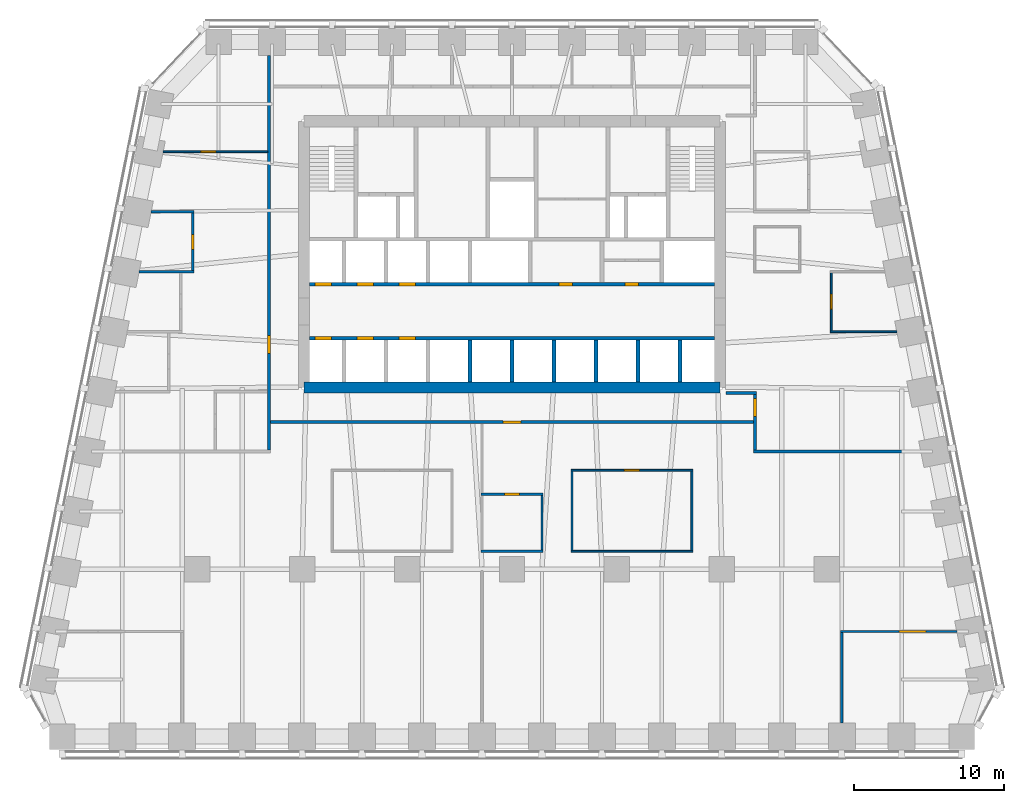
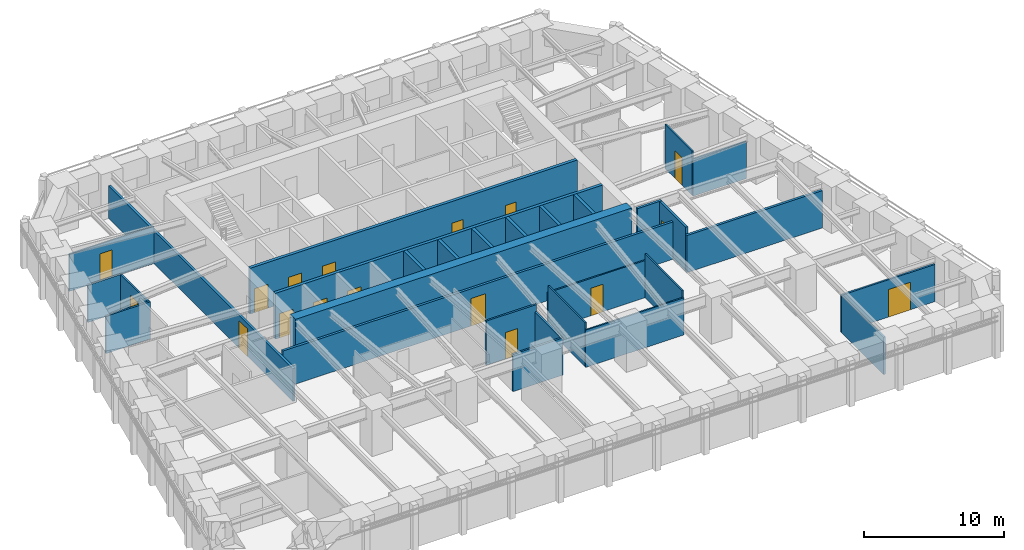
# One storey, part 6 of 10: 29 walls, 17 doors, 17 openings.
"""IFC4 building model written with IfcOpenShell, lengths in metres."""

from ifc_helpers import new_model, si_unit, direction, frame, frame_2d, origin, place, context, subcontext, project, spatial, rectangle, extrude, material, layer, layer_set, type_object, element, fill, save


model = new_model("IFC4")

# Units and contexts
model_context = context("Model", 3, precision=1e-05, world=origin(), true_north=direction((0.0, 1.0)))
body_context = subcontext(model_context, "Body", "Model", "MODEL_VIEW")
ifc_project = project(units=[si_unit("LENGTHUNIT", "METRE"), si_unit("AREAUNIT", "SQUARE_METRE"), si_unit("VOLUMEUNIT", "CUBIC_METRE"), si_unit("PLANEANGLEUNIT", "RADIAN"), si_unit("MASSUNIT", "GRAM", prefix="KILO")], contexts=[model_context])

# Site, building, storey
site_placement = place(None, origin())
site = spatial("IfcSite", under=ifc_project, at=site_placement, CompositionType="ELEMENT")
building_placement = place(site_placement, origin())
building = spatial("IfcBuilding", under=site, at=building_placement, Name="Isbrekke Arena Tower", CompositionType="ELEMENT")
storey_placement = place(building_placement, frame((0.0, 0.0, 115.0)))
storey = spatial("IfcBuildingStorey", under=building, at=storey_placement, Name="L25", CompositionType="ELEMENT", Elevation=115.0)

# Wall
ifc_material_1 = material(Name="Concrete B55 (C55/67)", Category="concrete")
ifc_layer_1 = layer(ifc_material_1, 0.75)
ifc_layer_set_1 = layer_set([ifc_layer_1], Name="CW3 CORE WALL 750")
wall_type_1 = type_object("IfcWallType", Name="CW3 CORE WALL 750", PredefinedType="SHEAR", material=ifc_layer_set_1)
wall_1_placement = place(storey_placement, frame((-13.875, 6.125, 0.0), z_axis=(0.0, 0.0, 1.0), x_axis=(1.0, 0.0, 0.0)))
element("IfcWall", 1, at=wall_1_placement, inside=storey, type_object=wall_type_1, Name="Core wall S L25", PredefinedType="SHEAR", context=body_context, shape_type="SweptSolid", body=[
    extrude(rectangle(XDim=27.75, YDim=0.75, at=frame_2d((13.875, 0.0))), origin(), (0.0, 0.0, 1.0), 4.0),
])

# Wall, openings, doors
ifc_material_2 = material(Name="Concrete B45 (C45/55)", Category="concrete")
ifc_layer_2 = layer(ifc_material_2, 0.25)
ifc_layer_set_2 = layer_set([ifc_layer_2], Name="CW6 SHAFT WALL 250")
wall_type_2 = type_object("IfcWallType", Name="CW6 SHAFT WALL 250", PredefinedType="SHEAR", material=ifc_layer_set_2)
wall_2_placement = place(storey_placement, frame((-13.5, 9.39990234375, 0.0), z_axis=(0.0, 0.0, 1.0), x_axis=(1.0, 0.0, 0.0)))
wall_2 = element("IfcWall", 2, at=wall_2_placement, inside=storey, type_object=wall_type_2, Name="Core wall LS L25", PredefinedType="SHEAR", context=body_context, shape_type="SweptSolid", body=[
    extrude(rectangle(XDim=27.0, YDim=0.25, at=frame_2d((13.5, 0.0))), origin(), (0.0, 0.0, 1.0), 4.0),
])
opening_1_placement = place(wall_2_placement, frame((0.35009765625, 0.0, 0.0)))
opening_1 = element("IfcOpeningElement", 3, at=opening_1_placement, cuts=wall_2, Name="Opening LD1", PredefinedType="OPENING", context=body_context, shape_type="SweptSolid", body=[
    extrude(rectangle(XDim=1.10009765625, YDim=2.10009765625, at=frame_2d((0.550048828125, 1.050048828125))), frame((0.0, 0.139892578125, 0.0), z_axis=(0.0, -1.0, 0.0), x_axis=(1.0, 0.0, 0.0)), (0.0, 0.0, 1.0), 0.27978515625),
])
opening_2_placement = place(wall_2_placement, frame((3.14990234375, 0.0, 0.0)))
opening_2 = element("IfcOpeningElement", 4, at=opening_2_placement, cuts=wall_2, Name="Opening LD1", PredefinedType="OPENING", context=body_context, shape_type="SweptSolid", body=[
    extrude(rectangle(XDim=1.10009765625, YDim=2.10009765625, at=frame_2d((0.550048828125, 1.050048828125))), frame((0.0, 0.139892578125, 0.0), z_axis=(0.0, -1.0, 0.0), x_axis=(1.0, 0.0, 0.0)), (0.0, 0.0, 1.0), 0.27978515625),
])
opening_3_placement = place(wall_2_placement, frame((5.949951171875, 0.0, 0.0)))
opening_3 = element("IfcOpeningElement", 5, at=opening_3_placement, cuts=wall_2, Name="Opening LD1", PredefinedType="OPENING", context=body_context, shape_type="SweptSolid", body=[
    extrude(rectangle(XDim=1.10009765625, YDim=2.10009765625, at=frame_2d((0.550048828125, 1.050048828125))), frame((0.0, 0.139892578125, 0.0), z_axis=(0.0, -1.0, 0.0), x_axis=(1.0, 0.0, 0.0)), (0.0, 0.0, 1.0), 0.27978515625),
])
ifc_material_3 = material(Name="Stainless steel lift landing door", Category="steel")
door_type_1 = type_object("IfcDoorType", Name="LD1 LIFT LANDING DOOR 1100 x 2100", OperationType="SLIDING_TO_LEFT", PredefinedType="DOOR", material=ifc_material_3)
door_1_placement = place(opening_1_placement, origin())
door_1 = element("IfcDoor", 6, at=door_1_placement, inside=storey, type_object=door_type_1, Name="LD1 lift landing door LB L25", OperationType="SLIDING_TO_LEFT", OverallHeight=2.10009765625, OverallWidth=1.10009765625, PredefinedType="DOOR", context=body_context, shape_type="SweptSolid", body=[
    extrude(rectangle(XDim=1.10009765625, YDim=2.10009765625, at=frame_2d((0.550048828125, 1.050048828125))), frame((0.0, 0.124755859375, 0.0), z_axis=(0.0, -1.0, 0.0), x_axis=(1.0, 0.0, 0.0)), (0.0, 0.0, 1.0), 0.24951171875),
])
fill(opening_1, door_1)
door_2_placement = place(opening_2_placement, origin())
door_2 = element("IfcDoor", 7, at=door_2_placement, inside=storey, type_object=door_type_1, Name="LD1 lift landing door LB L25", OperationType="SLIDING_TO_LEFT", OverallHeight=2.10009765625, OverallWidth=1.10009765625, PredefinedType="DOOR", context=body_context, shape_type="SweptSolid", body=[
    extrude(rectangle(XDim=1.10009765625, YDim=2.10009765625, at=frame_2d((0.550048828125, 1.050048828125))), frame((0.0, 0.124755859375, 0.0), z_axis=(0.0, -1.0, 0.0), x_axis=(1.0, 0.0, 0.0)), (0.0, 0.0, 1.0), 0.24951171875),
])
fill(opening_2, door_2)
door_3_placement = place(opening_3_placement, origin())
door_3 = element("IfcDoor", 8, at=door_3_placement, inside=storey, type_object=door_type_1, Name="LD1 lift landing door LB L25", OperationType="SLIDING_TO_LEFT", OverallHeight=2.10009765625, OverallWidth=1.10009765625, PredefinedType="DOOR", context=body_context, shape_type="SweptSolid", body=[
    extrude(rectangle(XDim=1.10009765625, YDim=2.10009765625, at=frame_2d((0.550048828125, 1.050048828125))), frame((0.0, 0.124755859375, 0.0), z_axis=(0.0, -1.0, 0.0), x_axis=(1.0, 0.0, 0.0)), (0.0, 0.0, 1.0), 0.24951171875),
])
fill(opening_3, door_3)

wall_3_placement = place(storey_placement, frame((-13.5, 13.0, 0.0), z_axis=(0.0, 0.0, 1.0), x_axis=(1.0, 0.0, 0.0)))
wall_3 = element("IfcWall", 9, at=wall_3_placement, inside=storey, type_object=wall_type_2, Name="Core wall LN L25", PredefinedType="SHEAR", context=body_context, shape_type="SweptSolid", body=[
    extrude(rectangle(XDim=27.0, YDim=0.25, at=frame_2d((13.5, 0.0))), origin(), (0.0, 0.0, 1.0), 4.0),
])
opening_4_placement = place(wall_3_placement, frame((0.35009765625, 0.0, 0.0)))
opening_4 = element("IfcOpeningElement", 10, at=opening_4_placement, cuts=wall_3, Name="Opening LD1", PredefinedType="OPENING", context=body_context, shape_type="SweptSolid", body=[
    extrude(rectangle(XDim=1.10009765625, YDim=2.10009765625, at=frame_2d((0.550048828125, 1.050048828125))), frame((0.0, 0.139892578125, 0.0), z_axis=(0.0, -1.0, 0.0), x_axis=(1.0, 0.0, 0.0)), (0.0, 0.0, 1.0), 0.27978515625),
])
opening_5_placement = place(wall_3_placement, frame((3.14990234375, 0.0, 0.0)))
opening_5 = element("IfcOpeningElement", 11, at=opening_5_placement, cuts=wall_3, Name="Opening LD1", PredefinedType="OPENING", context=body_context, shape_type="SweptSolid", body=[
    extrude(rectangle(XDim=1.10009765625, YDim=2.10009765625, at=frame_2d((0.550048828125, 1.050048828125))), frame((0.0, 0.139892578125, 0.0), z_axis=(0.0, -1.0, 0.0), x_axis=(1.0, 0.0, 0.0)), (0.0, 0.0, 1.0), 0.27978515625),
])
opening_6_placement = place(wall_3_placement, frame((5.949951171875, 0.0, 0.0)))
opening_6 = element("IfcOpeningElement", 12, at=opening_6_placement, cuts=wall_3, Name="Opening LD1", PredefinedType="OPENING", context=body_context, shape_type="SweptSolid", body=[
    extrude(rectangle(XDim=1.10009765625, YDim=2.10009765625, at=frame_2d((0.550048828125, 1.050048828125))), frame((0.0, 0.139892578125, 0.0), z_axis=(0.0, -1.0, 0.0), x_axis=(1.0, 0.0, 0.0)), (0.0, 0.0, 1.0), 0.27978515625),
])
opening_7_placement = place(wall_3_placement, frame((16.64990234375, 0.0, 0.0)))
opening_7 = element("IfcOpeningElement", 13, at=opening_7_placement, cuts=wall_3, Name="Opening D5", PredefinedType="OPENING", context=body_context, shape_type="SweptSolid", body=[
    extrude(rectangle(XDim=0.89990234375, YDim=2.10009765625, at=frame_2d((0.449951171875, 1.050048828125))), frame((0.0, 0.139892578125, 0.0), z_axis=(0.0, -1.0, 0.0), x_axis=(1.0, 0.0, 0.0)), (0.0, 0.0, 1.0), 0.27978515625),
])
opening_8_placement = place(wall_3_placement, frame((21.050048828125, 0.0, 0.0)))
opening_8 = element("IfcOpeningElement", 14, at=opening_8_placement, cuts=wall_3, Name="Opening D5", PredefinedType="OPENING", context=body_context, shape_type="SweptSolid", body=[
    extrude(rectangle(XDim=0.89990234375, YDim=2.10009765625, at=frame_2d((0.449951171875, 1.050048828125))), frame((0.0, 0.139892578125, 0.0), z_axis=(0.0, -1.0, 0.0), x_axis=(1.0, 0.0, 0.0)), (0.0, 0.0, 1.0), 0.27978515625),
])
ifc_material_4 = material(Name="Steel fire door", Category="steel")
door_type_2 = type_object("IfcDoorType", Name="D5 SERVICE DOOR 900 x 2100", OperationType="SINGLE_SWING_LEFT", PredefinedType="DOOR", material=ifc_material_4)
door_4_placement = place(opening_7_placement, origin())
door_4 = element("IfcDoor", 15, at=door_4_placement, inside=storey, type_object=door_type_2, Name="D5 cleaner's store door L25", OperationType="SINGLE_SWING_LEFT", OverallHeight=2.10009765625, OverallWidth=0.89990234375, PredefinedType="DOOR", context=body_context, shape_type="SweptSolid", body=[
    extrude(rectangle(XDim=0.89990234375, YDim=2.10009765625, at=frame_2d((0.449951171875, 1.050048828125))), frame((0.0, 0.124755859375, 0.0), z_axis=(0.0, -1.0, 0.0), x_axis=(1.0, 0.0, 0.0)), (0.0, 0.0, 1.0), 0.24951171875),
])
fill(opening_7, door_4)
door_5_placement = place(opening_8_placement, origin())
door_5 = element("IfcDoor", 16, at=door_5_placement, inside=storey, type_object=door_type_2, Name="D5 communications room door L25", OperationType="SINGLE_SWING_LEFT", OverallHeight=2.10009765625, OverallWidth=0.89990234375, PredefinedType="DOOR", context=body_context, shape_type="SweptSolid", body=[
    extrude(rectangle(XDim=0.89990234375, YDim=2.10009765625, at=frame_2d((0.449951171875, 1.050048828125))), frame((0.0, 0.124755859375, 0.0), z_axis=(0.0, -1.0, 0.0), x_axis=(1.0, 0.0, 0.0)), (0.0, 0.0, 1.0), 0.24951171875),
])
fill(opening_8, door_5)
door_6_placement = place(opening_4_placement, origin())
door_6 = element("IfcDoor", 17, at=door_6_placement, inside=storey, type_object=door_type_1, Name="LD1 lift landing door LB L25", OperationType="SLIDING_TO_LEFT", OverallHeight=2.10009765625, OverallWidth=1.10009765625, PredefinedType="DOOR", context=body_context, shape_type="SweptSolid", body=[
    extrude(rectangle(XDim=1.10009765625, YDim=2.10009765625, at=frame_2d((0.550048828125, 1.050048828125))), frame((0.0, 0.124755859375, 0.0), z_axis=(0.0, -1.0, 0.0), x_axis=(1.0, 0.0, 0.0)), (0.0, 0.0, 1.0), 0.24951171875),
])
fill(opening_4, door_6)
door_7_placement = place(opening_5_placement, origin())
door_7 = element("IfcDoor", 18, at=door_7_placement, inside=storey, type_object=door_type_1, Name="LD1 lift landing door LB L25", OperationType="SLIDING_TO_LEFT", OverallHeight=2.10009765625, OverallWidth=1.10009765625, PredefinedType="DOOR", context=body_context, shape_type="SweptSolid", body=[
    extrude(rectangle(XDim=1.10009765625, YDim=2.10009765625, at=frame_2d((0.550048828125, 1.050048828125))), frame((0.0, 0.124755859375, 0.0), z_axis=(0.0, -1.0, 0.0), x_axis=(1.0, 0.0, 0.0)), (0.0, 0.0, 1.0), 0.24951171875),
])
fill(opening_5, door_7)
door_8_placement = place(opening_6_placement, origin())
door_8 = element("IfcDoor", 19, at=door_8_placement, inside=storey, type_object=door_type_1, Name="LD1 lift landing door LB L25", OperationType="SLIDING_TO_LEFT", OverallHeight=2.10009765625, OverallWidth=1.10009765625, PredefinedType="DOOR", context=body_context, shape_type="SweptSolid", body=[
    extrude(rectangle(XDim=1.10009765625, YDim=2.10009765625, at=frame_2d((0.550048828125, 1.050048828125))), frame((0.0, 0.124755859375, 0.0), z_axis=(0.0, -1.0, 0.0), x_axis=(1.0, 0.0, 0.0)), (0.0, 0.0, 1.0), 0.24951171875),
])
fill(opening_6, door_8)

# Walls
for number, where, z_axis, x_axis, name in (
    (20, (-2.800048828125, 6.5, 0.0), (0.0, 0.0, 1.0), (0.0, 1.0, 0.0), "Core wall SS04 L25"),
    (21, (0.0, 6.5, 0.0), (0.0, 0.0, 1.0), (0.0, 1.0, 0.0), "Core wall SS05 L25"),
    (22, (2.800048828125, 6.5, 0.0), (0.0, 0.0, 1.0), (0.0, 1.0, 0.0), "Core wall SS06 L25"),
    (23, (5.60009765625, 6.5, 0.0), (0.0, 0.0, 1.0), (0.0, 1.0, 0.0), "Core wall SS07 L25"),
    (24, (8.39990234375, 6.5, 0.0), (0.0, 0.0, 1.0), (0.0, 1.0, 0.0), "Core wall SS08 L25"),
    (25, (11.199951171875, 6.5, 0.0), (0.0, 0.0, 1.0), (0.0, 1.0, 0.0), "Core wall SS09 L25"),
):
    element("IfcWall", number, at=place(storey_placement, frame(where, z_axis=z_axis, x_axis=x_axis)), inside=storey, type_object=wall_type_2, Name=name, PredefinedType="SHEAR", context=body_context, shape_type="SweptSolid", body=[
        extrude(rectangle(XDim=2.77490234375, YDim=0.25, at=frame_2d((1.387451171875, 0.0))), origin(), (0.0, 0.0, 1.0), 4.0),
    ])

# Wall, opening, door
ifc_material_5 = material(Name="Gypsum board partition on steel studs", Category="steel")
ifc_layer_3 = layer(ifc_material_5, 0.14990234375)
ifc_layer_set_3 = layer_set([ifc_layer_3], Name="IW1 PARTITION 150")
wall_type_3 = type_object("IfcWallType", Name="IW1 PARTITION 150", PredefinedType="PARTITIONING", material=ifc_layer_set_3)
wall_4_placement = place(storey_placement, frame((21.925048828125, -10.159912109375, 0.0), z_axis=(0.0, 0.0, 1.0), x_axis=(1.0, 0.0, 0.0)))
wall_4 = element("IfcWall", 26, at=wall_4_placement, inside=storey, type_object=wall_type_3, Name="IW1 partition 150 L25", PredefinedType="PARTITIONING", context=body_context, shape_type="SweptSolid", body=[
    extrude(rectangle(XDim=7.747802734375, YDim=0.14990234375, at=frame_2d((3.8740234375, 0.0))), origin(), (0.0, 0.0, 1.0), 3.25),
])
opening_9_placement = place(wall_4_placement, frame((3.90673828125, 0.0, 0.0)))
opening_9 = element("IfcOpeningElement", 27, at=opening_9_placement, cuts=wall_4, Name="Opening D13", PredefinedType="OPENING", context=body_context, shape_type="SweptSolid", body=[
    extrude(rectangle(XDim=1.800048828125, YDim=2.39990234375, at=frame_2d((0.89990234375, 1.199951171875))), frame((0.0, 0.08984375, 0.0), z_axis=(0.0, -1.0, 0.0), x_axis=(1.0, 0.0, 0.0)), (0.0, 0.0, 1.0), 0.1796875),
])
ifc_material_6 = material(Name="Timber door pair", Category="wood")
door_type_3 = type_object("IfcDoorType", Name="D13 DOUBLE ROOM DOOR 1800 x 2400", OperationType="DOUBLE_DOOR_SINGLE_SWING", PredefinedType="DOOR", material=ifc_material_6)
door_9_placement = place(opening_9_placement, origin())
door_9 = element("IfcDoor", 28, at=door_9_placement, inside=storey, type_object=door_type_3, Name="D13 office door L25", OperationType="DOUBLE_DOOR_SINGLE_SWING", OverallHeight=2.39990234375, OverallWidth=1.800048828125, PredefinedType="DOOR", context=body_context, shape_type="SweptSolid", body=[
    extrude(rectangle(XDim=1.800048828125, YDim=2.39990234375, at=frame_2d((0.89990234375, 1.199951171875))), frame((0.0, 0.07470703125, 0.0), z_axis=(0.0, -1.0, 0.0), x_axis=(1.0, 0.0, 0.0)), (0.0, 0.0, 1.0), 0.1494140625),
])
fill(opening_9, door_9)

# Wall
wall_5_placement = place(storey_placement, frame((-2.074951171875, -4.800048828125, 0.0), z_axis=(0.0, 0.0, 1.0), x_axis=(1.0, 0.0, 0.0)))
element("IfcWall", 29, at=wall_5_placement, inside=storey, type_object=wall_type_3, Name="IW1 partition 150 L25", PredefinedType="PARTITIONING", context=body_context, shape_type="SweptSolid", body=[
    extrude(rectangle(XDim=4.14990234375, YDim=0.14990234375, at=frame_2d((2.074951171875, 0.0))), origin(), (0.0, 0.0, 1.0), 3.25),
])

# Wall, opening, door
wall_6_placement = place(storey_placement, frame((-2.074951171875, -1.0, 0.0), z_axis=(0.0, 0.0, 1.0), x_axis=(1.0, 0.0, 0.0)))
wall_6 = element("IfcWall", 30, at=wall_6_placement, inside=storey, type_object=wall_type_3, Name="IW1 partition 150 L25", PredefinedType="PARTITIONING", context=body_context, shape_type="SweptSolid", body=[
    extrude(rectangle(XDim=4.14990234375, YDim=0.14990234375, at=frame_2d((2.074951171875, 0.0))), origin(), (0.0, 0.0, 1.0), 3.85009765625),
])
opening_10_placement = place(wall_6_placement, frame((1.574951171875, 0.0, 0.0)))
opening_10 = element("IfcOpeningElement", 31, at=opening_10_placement, cuts=wall_6, Name="Opening D10", PredefinedType="OPENING", context=body_context, shape_type="SweptSolid", body=[
    extrude(rectangle(XDim=1.0, YDim=2.300048828125, at=frame_2d((0.5, 1.14990234375))), frame((0.0, 0.08984375, 0.0), z_axis=(0.0, -1.0, 0.0), x_axis=(1.0, 0.0, 0.0)), (0.0, 0.0, 1.0), 0.1796875),
])
ifc_material_7 = material(Name="Timber door", Category="wood")
door_type_4 = type_object("IfcDoorType", Name="D10 OFFICE DOOR 1000 x 2300", OperationType="SINGLE_SWING_LEFT", PredefinedType="DOOR", material=ifc_material_7)
door_10_placement = place(opening_10_placement, origin())
door_10 = element("IfcDoor", 32, at=door_10_placement, inside=storey, type_object=door_type_4, Name="D10 pantry door L25", OperationType="SINGLE_SWING_LEFT", OverallHeight=2.300048828125, OverallWidth=1.0, PredefinedType="DOOR", context=body_context, shape_type="SweptSolid", body=[
    extrude(rectangle(XDim=1.0, YDim=2.300048828125, at=frame_2d((0.5, 1.14990234375))), frame((0.0, 0.07470703125, 0.0), z_axis=(0.0, -1.0, 0.0), x_axis=(1.0, 0.0, 0.0)), (0.0, 0.0, 1.0), 0.1494140625),
])
fill(opening_10, door_10)

# Walls
wall_7_placement = place(storey_placement, frame((-24.872802734375, 13.840087890625, 0.0), z_axis=(0.0, 0.0, 1.0), x_axis=(1.0, 0.0, 0.0)))
element("IfcWall", 33, at=wall_7_placement, inside=storey, type_object=wall_type_3, Name="IW1 partition 150 L25", PredefinedType="PARTITIONING", context=body_context, shape_type="SweptSolid", body=[
    extrude(rectangle(XDim=3.647705078125, YDim=0.14990234375, at=frame_2d((1.82373046875, 0.0))), origin(), (0.0, 0.0, 1.0), 3.25),
])
wall_8_placement = place(storey_placement, frame((-24.07275390625, 17.840087890625, 0.0), z_axis=(0.0, 0.0, 1.0), x_axis=(1.0, 0.0, 0.0)))
element("IfcWall", 34, at=wall_8_placement, inside=storey, type_object=wall_type_3, Name="IW1 partition 150 L25", PredefinedType="PARTITIONING", context=body_context, shape_type="SweptSolid", body=[
    extrude(rectangle(XDim=2.84765625, YDim=0.14990234375, at=frame_2d((1.423828125, 0.0))), origin(), (0.0, 0.0, 1.0), 3.25),
])

# Wall, opening, door
wall_9_placement = place(storey_placement, frame((-21.300048828125, 13.9150390625, 0.0), z_axis=(0.0, 0.0, 1.0), x_axis=(0.0, 1.0, 0.0)))
wall_9 = element("IfcWall", 35, at=wall_9_placement, inside=storey, type_object=wall_type_3, Name="IW1 partition 150 L25", PredefinedType="PARTITIONING", context=body_context, shape_type="SweptSolid", body=[
    extrude(rectangle(XDim=3.849853515625, YDim=0.14990234375, at=frame_2d((1.9248046875, 0.0))), origin(), (0.0, 0.0, 1.0), 3.25),
])
opening_11_placement = place(wall_9_placement, frame((1.425048828125, 0.0, 0.0)))
opening_11 = element("IfcOpeningElement", 36, at=opening_11_placement, cuts=wall_9, Name="Opening D10", PredefinedType="OPENING", context=body_context, shape_type="SweptSolid", body=[
    extrude(rectangle(XDim=1.0, YDim=2.300048828125, at=frame_2d((0.5, 1.14990234375))), frame((0.0, 0.08984375, 0.0), z_axis=(0.0, -1.0, 0.0), x_axis=(1.0, 0.0, 0.0)), (0.0, 0.0, 1.0), 0.1796875),
])
door_11_placement = place(opening_11_placement, origin())
door_11 = element("IfcDoor", 37, at=door_11_placement, inside=storey, type_object=door_type_4, Name="D10 office door L25", OperationType="SINGLE_SWING_LEFT", OverallHeight=2.300048828125, OverallWidth=1.0, PredefinedType="DOOR", context=body_context, shape_type="SweptSolid", body=[
    extrude(rectangle(XDim=1.0, YDim=2.300048828125, at=frame_2d((0.5, 1.14990234375))), frame((0.0, 0.07470703125, 0.0), z_axis=(0.0, -1.0, 0.0), x_axis=(1.0, 0.0, 0.0)), (0.0, 0.0, 1.0), 0.1494140625),
])
fill(opening_11, door_11)

# Walls
wall_10_placement = place(storey_placement, frame((2.0, -4.72509765625, 0.0), z_axis=(0.0, 0.0, 1.0), x_axis=(0.0, 1.0, 0.0)))
element("IfcWall", 38, at=wall_10_placement, inside=storey, type_object=wall_type_3, Name="IW1 partition 150 L25", PredefinedType="PARTITIONING", context=body_context, shape_type="SweptSolid", body=[
    extrude(rectangle(XDim=3.650146484375, YDim=0.14990234375, at=frame_2d((1.8251953125, 0.0))), origin(), (0.0, 0.0, 1.0), 3.25),
])
wall_11_placement = place(storey_placement, frame((22.0, -16.27490234375, 0.0), z_axis=(0.0, 0.0, 1.0), x_axis=(0.0, 1.0, 0.0)))
element("IfcWall", 39, at=wall_11_placement, inside=storey, type_object=wall_type_3, Name="IW1 partition 150 L25", PredefinedType="PARTITIONING", context=body_context, shape_type="SweptSolid", body=[
    extrude(rectangle(XDim=6.039794921875, YDim=0.14990234375, at=frame_2d((3.02001953125, 0.0))), origin(), (0.0, 0.0, 1.0), 3.25),
])
ifc_material_8 = material(Name="Frameless glazed partition, laminated acoustic glass", Category="glass")
ifc_layer_4 = layer(ifc_material_8, 0.1201171875)
ifc_layer_set_4 = layer_set([ifc_layer_4], Name="IW2 GLAZED PARTITION 120")
wall_type_4 = type_object("IfcWallType", Name="IW2 GLAZED PARTITION 120", PredefinedType="PARTITIONING", material=ifc_layer_set_4)
wall_12_placement = place(storey_placement, frame((3.93994140625, -4.800048828125, 0.0), z_axis=(0.0, 0.0, 1.0), x_axis=(1.0, 0.0, 0.0)))
element("IfcWall", 40, at=wall_12_placement, inside=storey, type_object=wall_type_4, Name="IW2 glazed partition 120 L25", PredefinedType="PARTITIONING", context=body_context, shape_type="SweptSolid", body=[
    extrude(rectangle(XDim=8.1201171875, YDim=0.1201171875, at=frame_2d((4.06005859375, 0.0))), origin(), (0.0, 0.0, 1.0), 3.25),
])

# Wall, opening, door
wall_13_placement = place(storey_placement, frame((3.93994140625, 0.60009765625, 0.0), z_axis=(0.0, 0.0, 1.0), x_axis=(1.0, 0.0, 0.0)))
wall_13 = element("IfcWall", 41, at=wall_13_placement, inside=storey, type_object=wall_type_4, Name="IW2 glazed partition 120 L25", PredefinedType="PARTITIONING", context=body_context, shape_type="SweptSolid", body=[
    extrude(rectangle(XDim=8.1201171875, YDim=0.1201171875, at=frame_2d((4.06005859375, 0.0))), origin(), (0.0, 0.0, 1.0), 3.25),
])
opening_12_placement = place(wall_13_placement, frame((3.56005859375, 0.0, 0.0)))
opening_12 = element("IfcOpeningElement", 42, at=opening_12_placement, cuts=wall_13, Name="Opening D11", PredefinedType="OPENING", context=body_context, shape_type="SweptSolid", body=[
    extrude(rectangle(XDim=1.0, YDim=2.39990234375, at=frame_2d((0.5, 1.199951171875))), frame((0.0, 0.074951171875, 0.0), z_axis=(0.0, -1.0, 0.0), x_axis=(1.0, 0.0, 0.0)), (0.0, 0.0, 1.0), 0.14990234375),
])
ifc_material_9 = material(Name="Frameless glazed door", Category="glass")
door_type_5 = type_object("IfcDoorType", Name="D11 GLAZED MEETING ROOM DOOR 1000 x 2400", OperationType="SINGLE_SWING_RIGHT", PredefinedType="DOOR", material=ifc_material_9)
door_12_placement = place(opening_12_placement, origin())
door_12 = element("IfcDoor", 43, at=door_12_placement, inside=storey, type_object=door_type_5, Name="D11 meeting room door L25", OperationType="SINGLE_SWING_RIGHT", OverallHeight=2.39990234375, OverallWidth=1.0, PredefinedType="DOOR", context=body_context, shape_type="SweptSolid", body=[
    extrude(rectangle(XDim=1.0, YDim=2.39990234375, at=frame_2d((0.5, 1.199951171875))), frame((0.0, 0.059814453125, 0.0), z_axis=(0.0, -1.0, 0.0), x_axis=(1.0, 0.0, 0.0)), (0.0, 0.0, 1.0), 0.11962890625),
])
fill(opening_12, door_12)

# Wall
wall_14_placement = place(storey_placement, frame((21.239990234375, 9.840087890625, 0.0), z_axis=(0.0, 0.0, 1.0), x_axis=(1.0, 0.0, 0.0)))
element("IfcWall", 44, at=wall_14_placement, inside=storey, type_object=wall_type_4, Name="IW2 glazed partition 120 L25", PredefinedType="PARTITIONING", context=body_context, shape_type="SweptSolid", body=[
    extrude(rectangle(XDim=4.432861328125, YDim=0.1201171875, at=frame_2d((2.21630859375, 0.0))), origin(), (0.0, 0.0, 1.0), 3.25),
])

# Wall, opening, door
wall_15_placement = place(storey_placement, frame((-23.272705078125, 21.840087890625, 0.0), z_axis=(0.0, 0.0, 1.0), x_axis=(1.0, 0.0, 0.0)))
wall_15 = element("IfcWall", 45, at=wall_15_placement, inside=storey, type_object=wall_type_4, Name="IW2 glazed partition 120 L25", PredefinedType="PARTITIONING", context=body_context, shape_type="SweptSolid", body=[
    extrude(rectangle(XDim=6.97265625, YDim=0.1201171875, at=frame_2d((3.486328125, 0.0))), origin(), (0.0, 0.0, 1.0), 3.25),
])
opening_13_placement = place(wall_15_placement, frame((2.513671875, 0.0, 0.0)))
opening_13 = element("IfcOpeningElement", 46, at=opening_13_placement, cuts=wall_15, Name="Opening D11", PredefinedType="OPENING", context=body_context, shape_type="SweptSolid", body=[
    extrude(rectangle(XDim=1.0, YDim=2.39990234375, at=frame_2d((0.5, 1.199951171875))), frame((0.0, 0.074951171875, 0.0), z_axis=(0.0, -1.0, 0.0), x_axis=(1.0, 0.0, 0.0)), (0.0, 0.0, 1.0), 0.14990234375),
])
door_13_placement = place(opening_13_placement, origin())
door_13 = element("IfcDoor", 47, at=door_13_placement, inside=storey, type_object=door_type_5, Name="D11 meeting room door L25", OperationType="SINGLE_SWING_RIGHT", OverallHeight=2.39990234375, OverallWidth=1.0, PredefinedType="DOOR", context=body_context, shape_type="SweptSolid", body=[
    extrude(rectangle(XDim=1.0, YDim=2.39990234375, at=frame_2d((0.5, 1.199951171875))), frame((0.0, 0.059814453125, 0.0), z_axis=(0.0, -1.0, 0.0), x_axis=(1.0, 0.0, 0.0)), (0.0, 0.0, 1.0), 0.11962890625),
])
fill(opening_13, door_13)

# Walls
for number, where, z_axis, x_axis, name in (
    (48, (4.0, -4.739990234375, 0.0), (0.0, 0.0, 1.0), (0.0, 1.0, 0.0), "IW2 glazed partition 120 L25"),
    (49, (12.0, -4.739990234375, 0.0), (0.0, 0.0, 1.0), (0.0, 1.0, 0.0), "IW2 glazed partition 120 L25"),
):
    element("IfcWall", number, at=place(storey_placement, frame(where, z_axis=z_axis, x_axis=x_axis)), inside=storey, type_object=wall_type_4, Name=name, PredefinedType="PARTITIONING", context=body_context, shape_type="SweptSolid", body=[
        extrude(rectangle(XDim=5.280029296875, YDim=0.1201171875, at=frame_2d((2.64013671875, 0.0))), origin(), (0.0, 0.0, 1.0), 3.85009765625),
    ])

# Wall, opening, door
wall_16_placement = place(storey_placement, frame((21.300048828125, 9.89990234375, 0.0), z_axis=(0.0, 0.0, 1.0), x_axis=(0.0, 1.0, 0.0)))
wall_16 = element("IfcWall", 50, at=wall_16_placement, inside=storey, type_object=wall_type_4, Name="IW2 glazed partition 120 L25", PredefinedType="PARTITIONING", context=body_context, shape_type="SweptSolid", body=[
    extrude(rectangle(XDim=3.880126953125, YDim=0.1201171875, at=frame_2d((1.93994140625, 0.0))), origin(), (0.0, 0.0, 1.0), 3.85009765625),
])
opening_14_placement = place(wall_16_placement, frame((1.43994140625, 0.0, 0.0)))
opening_14 = element("IfcOpeningElement", 51, at=opening_14_placement, cuts=wall_16, Name="Opening D11", PredefinedType="OPENING", context=body_context, shape_type="SweptSolid", body=[
    extrude(rectangle(XDim=1.0, YDim=2.39990234375, at=frame_2d((0.5, 1.199951171875))), frame((0.0, 0.074951171875, 0.0), z_axis=(0.0, -1.0, 0.0), x_axis=(1.0, 0.0, 0.0)), (0.0, 0.0, 1.0), 0.14990234375),
])
door_14_placement = place(opening_14_placement, origin())
door_14 = element("IfcDoor", 52, at=door_14_placement, inside=storey, type_object=door_type_5, Name="D11 meeting room door L25", OperationType="SINGLE_SWING_RIGHT", OverallHeight=2.39990234375, OverallWidth=1.0, PredefinedType="DOOR", context=body_context, shape_type="SweptSolid", body=[
    extrude(rectangle(XDim=1.0, YDim=2.39990234375, at=frame_2d((0.5, 1.199951171875))), frame((0.0, 0.059814453125, 0.0), z_axis=(0.0, -1.0, 0.0), x_axis=(1.0, 0.0, 0.0)), (0.0, 0.0, 1.0), 0.11962890625),
])
fill(opening_14, door_14)

# Wall
ifc_material_10 = material(Name="Gypsum board fire-cell wall on steel studs, two layers each side", Category="steel")
ifc_layer_5 = layer(ifc_material_10, 0.199951171875)
ifc_layer_set_5 = layer_set([ifc_layer_5], Name="IW3 FIRE-CELL WALL 200")
wall_type_5 = type_object("IfcWallType", Name="IW3 FIRE-CELL WALL 200", PredefinedType="PARTITIONING", material=ifc_layer_set_5)
wall_17_placement = place(storey_placement, frame((16.10009765625, 1.840087890625, 0.0), z_axis=(0.0, 0.0, 1.0), x_axis=(1.0, 0.0, 0.0)))
element("IfcWall", 53, at=wall_17_placement, inside=storey, type_object=wall_type_5, Name="IW3 fire-cell wall 200 L25", PredefinedType="PARTITIONING", context=body_context, shape_type="SweptSolid", body=[
    extrude(rectangle(XDim=11.172607421875, YDim=0.199951171875, at=frame_2d((5.58642578125, 0.0))), origin(), (0.0, 0.0, 1.0), 3.25),
])

# Wall, opening, door
wall_18_placement = place(storey_placement, frame((-16.10009765625, 3.800048828125, 0.0), z_axis=(0.0, 0.0, 1.0), x_axis=(1.0, 0.0, 0.0)))
wall_18 = element("IfcWall", 54, at=wall_18_placement, inside=storey, type_object=wall_type_5, Name="IW3 fire-cell wall 200 L25", PredefinedType="PARTITIONING", context=body_context, shape_type="SweptSolid", body=[
    extrude(rectangle(XDim=32.2001953125, YDim=0.199951171875, at=frame_2d((16.10009765625, 0.0))), origin(), (0.0, 0.0, 1.0), 3.25),
])
opening_15_placement = place(wall_18_placement, frame((15.5, 0.0, 0.0)))
opening_15 = element("IfcOpeningElement", 55, at=opening_15_placement, cuts=wall_18, Name="Opening D12", PredefinedType="OPENING", context=body_context, shape_type="SweptSolid", body=[
    extrude(rectangle(XDim=1.199951171875, YDim=2.39990234375, at=frame_2d((0.60009765625, 1.199951171875))), frame((0.0, 0.11474609375, 0.0), z_axis=(0.0, -1.0, 0.0), x_axis=(1.0, 0.0, 0.0)), (0.0, 0.0, 1.0), 0.229736328125),
])
ifc_material_11 = material(Name="Timber fire door with vision panel", Category="wood")
door_type_6 = type_object("IfcDoorType", Name="D12 SUITE ENTRANCE DOOR 1200 x 2400", OperationType="SINGLE_SWING_LEFT", PredefinedType="DOOR", material=ifc_material_11)
door_15_placement = place(opening_15_placement, origin())
door_15 = element("IfcDoor", 56, at=door_15_placement, inside=storey, type_object=door_type_6, Name="D12 suite entrance S door L25", OperationType="SINGLE_SWING_LEFT", OverallHeight=2.39990234375, OverallWidth=1.199951171875, PredefinedType="DOOR", context=body_context, shape_type="SweptSolid", body=[
    extrude(rectangle(XDim=1.199951171875, YDim=2.39990234375, at=frame_2d((0.60009765625, 1.199951171875))), frame((0.0, 0.099609375, 0.0), z_axis=(0.0, -1.0, 0.0), x_axis=(1.0, 0.0, 0.0)), (0.0, 0.0, 1.0), 0.199462890625),
])
fill(opening_15, door_15)

# Wall
wall_19_placement = place(storey_placement, frame((14.280029296875, 5.75, 0.0), z_axis=(0.0, 0.0, 1.0), x_axis=(1.0, 0.0, 0.0)))
element("IfcWall", 57, at=wall_19_placement, inside=storey, type_object=wall_type_5, Name="IW3 fire-cell wall 200 L25", PredefinedType="PARTITIONING", context=body_context, shape_type="SweptSolid", body=[
    extrude(rectangle(XDim=2.02001953125, YDim=0.199951171875, at=frame_2d((1.010009765625, 0.0))), origin(), (0.0, 0.0, 1.0), 3.85009765625),
])

# Wall, opening, door
wall_20_placement = place(storey_placement, frame((-16.199951171875, 1.93994140625, 0.0), z_axis=(0.0, 0.0, 1.0), x_axis=(0.0, 1.0, 0.0)))
wall_20 = element("IfcWall", 58, at=wall_20_placement, inside=storey, type_object=wall_type_5, Name="IW3 fire-cell wall 200 L25", PredefinedType="PARTITIONING", context=body_context, shape_type="SweptSolid", body=[
    extrude(rectangle(XDim=26.3349609375, YDim=0.199951171875, at=frame_2d((13.16748046875, 0.0))), origin(), (0.0, 0.0, 1.0), 2.842041015625),
])
opening_16_placement = place(wall_20_placement, frame((6.4599609375, 0.0, 0.0)))
opening_16 = element("IfcOpeningElement", 59, at=opening_16_placement, cuts=wall_20, Name="Opening D12", PredefinedType="OPENING", context=body_context, shape_type="SweptSolid", body=[
    extrude(rectangle(XDim=1.199951171875, YDim=2.39990234375, at=frame_2d((0.60009765625, 1.199951171875))), frame((0.0, 0.11474609375, 0.0), z_axis=(0.0, -1.0, 0.0), x_axis=(1.0, 0.0, 0.0)), (0.0, 0.0, 1.0), 0.229736328125),
])
door_16_placement = place(opening_16_placement, origin())
door_16 = element("IfcDoor", 60, at=door_16_placement, inside=storey, type_object=door_type_6, Name="D12 suite entrance W door L25", OperationType="SINGLE_SWING_LEFT", OverallHeight=2.39990234375, OverallWidth=1.199951171875, PredefinedType="DOOR", context=body_context, shape_type="SweptSolid", body=[
    extrude(rectangle(XDim=1.199951171875, YDim=2.39990234375, at=frame_2d((0.60009765625, 1.199951171875))), frame((0.0, 0.099609375, 0.0), z_axis=(0.0, -1.0, 0.0), x_axis=(1.0, 0.0, 0.0)), (0.0, 0.0, 1.0), 0.199462890625),
])
fill(opening_16, door_16)

wall_21_placement = place(storey_placement, frame((16.199951171875, 1.93994140625, 0.0), z_axis=(0.0, 0.0, 1.0), x_axis=(0.0, 1.0, 0.0)))
wall_21 = element("IfcWall", 61, at=wall_21_placement, inside=storey, type_object=wall_type_5, Name="IW3 fire-cell wall 200 L25", PredefinedType="PARTITIONING", context=body_context, shape_type="SweptSolid", body=[
    extrude(rectangle(XDim=3.7099609375, YDim=0.199951171875, at=frame_2d((1.85498046875, 0.0))), origin(), (0.0, 0.0, 1.0), 3.85009765625),
])
opening_17_placement = place(wall_21_placement, frame((2.239990234375, 0.0, 0.0)))
opening_17 = element("IfcOpeningElement", 62, at=opening_17_placement, cuts=wall_21, Name="Opening D12", PredefinedType="OPENING", context=body_context, shape_type="SweptSolid", body=[
    extrude(rectangle(XDim=1.199951171875, YDim=2.39990234375, at=frame_2d((0.60009765625, 1.199951171875))), frame((0.0, 0.11474609375, 0.0), z_axis=(0.0, -1.0, 0.0), x_axis=(1.0, 0.0, 0.0)), (0.0, 0.0, 1.0), 0.229736328125),
])
door_17_placement = place(opening_17_placement, origin())
door_17 = element("IfcDoor", 63, at=door_17_placement, inside=storey, type_object=door_type_6, Name="D12 suite entrance E door L25", OperationType="SINGLE_SWING_LEFT", OverallHeight=2.39990234375, OverallWidth=1.199951171875, PredefinedType="DOOR", context=body_context, shape_type="SweptSolid", body=[
    extrude(rectangle(XDim=1.199951171875, YDim=2.39990234375, at=frame_2d((0.60009765625, 1.199951171875))), frame((0.0, 0.099609375, 0.0), z_axis=(0.0, -1.0, 0.0), x_axis=(1.0, 0.0, 0.0)), (0.0, 0.0, 1.0), 0.199462890625),
])
fill(opening_17, door_17)

save(model, "model.ifc")
